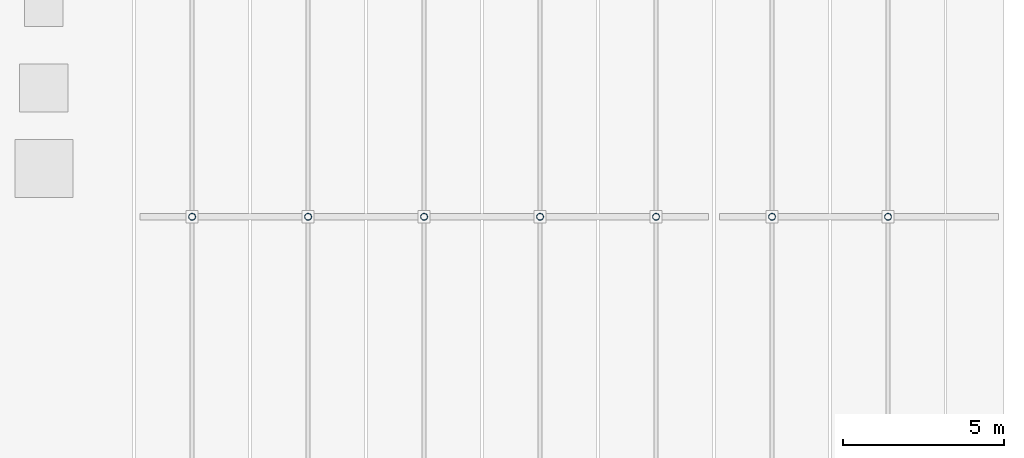
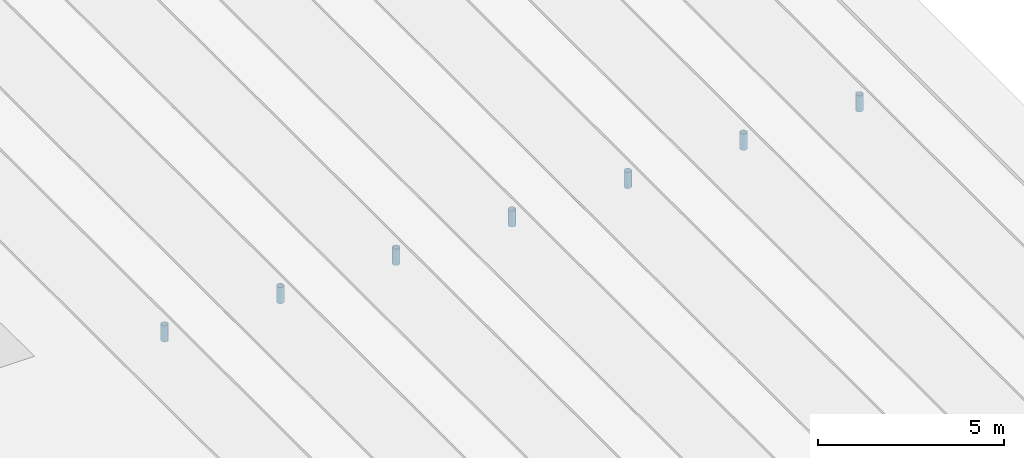
# One storey, part 3 of 6: 7 members.
"""IFC4 building model written with IfcOpenShell, lengths in metres."""

from ifc_helpers import new_model, si_unit, direction, frame, origin, origin_2d, place, context, subcontext, project, spatial, hollow_circle, extrude, material, material_profile, profile_set, type_object, element, save


model = new_model("IFC4")

# Units and contexts
model_context = context("Model", 3, precision=1e-05, world=origin(), true_north=direction((0.0, 1.0)))
body_context = subcontext(model_context, "Body", "Model", "MODEL_VIEW")
ifc_project = project(units=[si_unit("LENGTHUNIT", "METRE"), si_unit("AREAUNIT", "SQUARE_METRE"), si_unit("VOLUMEUNIT", "CUBIC_METRE"), si_unit("PLANEANGLEUNIT", "RADIAN"), si_unit("MASSUNIT", "GRAM", prefix="KILO")], contexts=[model_context])

# Site, building, storey
site_placement = place(None, origin())
site = spatial("IfcSite", under=ifc_project, at=site_placement, CompositionType="ELEMENT")
building_placement = place(site_placement, origin())
building = spatial("IfcBuilding", under=site, at=building_placement, Name="Suzunagisa Mobility Hub", CompositionType="ELEMENT")
storey_placement = place(building_placement, frame((0.0, 0.0, 30.300048828125)))
storey = spatial("IfcBuildingStorey", under=building, at=storey_placement, Name="Roof", CompositionType="ELEMENT", Elevation=30.300048828125)

# Members
ifc_material = material(Name="Steel SN400B", Category="steel")
ifc_material_profile = material_profile(ifc_material, hollow_circle(Radius=0.108154296875, WallThickness=0.00830078125, at=origin_2d()), Name="CHS-216.3x8.2")
ifc_profile_set = profile_set([ifc_material_profile], Name="Steel SN400B")
member_type = type_object("IfcMemberType", Name="Roof Truss and Brace Member MB-14 CHS-216.3x8.2", PredefinedType="POST", material=ifc_profile_set)
for number, where, z_axis, x_axis, name in (
    (1, (154.800048828125, 71.0, -0.394287109375), (0.0, 0.0, 1.0), (1.0, 0.0, 0.0), "Roof Sports Canopy King Post 1-71"),
    (2, (158.39990234375, 71.0, -0.394287109375), (0.0, 0.0, 1.0), (1.0, 0.0, 0.0), "Roof Sports Canopy King Post 2-71"),
    (3, (162.0, 71.0, -0.394287109375), (0.0, 0.0, 1.0), (1.0, 0.0, 0.0), "Roof Sports Canopy King Post 3-71"),
    (4, (165.60009765625, 71.0, -0.394287109375), (0.0, 0.0, 1.0), (1.0, 0.0, 0.0), "Roof Sports Canopy King Post 4-71"),
    (5, (169.199951171875, 71.0, -0.394287109375), (0.0, 0.0, 1.0), (1.0, 0.0, 0.0), "Roof Sports Canopy King Post 5-71"),
    (6, (172.800048828125, 71.0, -0.394287109375), (0.0, 0.0, 1.0), (1.0, 0.0, 0.0), "Roof Sports Canopy King Post 6-71"),
    (7, (176.39990234375, 71.0, -0.394287109375), (0.0, 0.0, 1.0), (1.0, 0.0, 0.0), "Roof Sports Canopy King Post 7-71"),
):
    element("IfcMember", number, at=place(storey_placement, frame(where, z_axis=z_axis, x_axis=x_axis)), inside=storey, type_object=member_type, Name=name, PredefinedType="POST", context=body_context, shape_type="SweptSolid", body=[
        extrude(hollow_circle(Radius=0.108154296875, WallThickness=0.00830078125, at=origin_2d()), origin(), (0.0, 0.0, 1.0), 0.533447265625),
    ])

save(model, "model.ifc")
